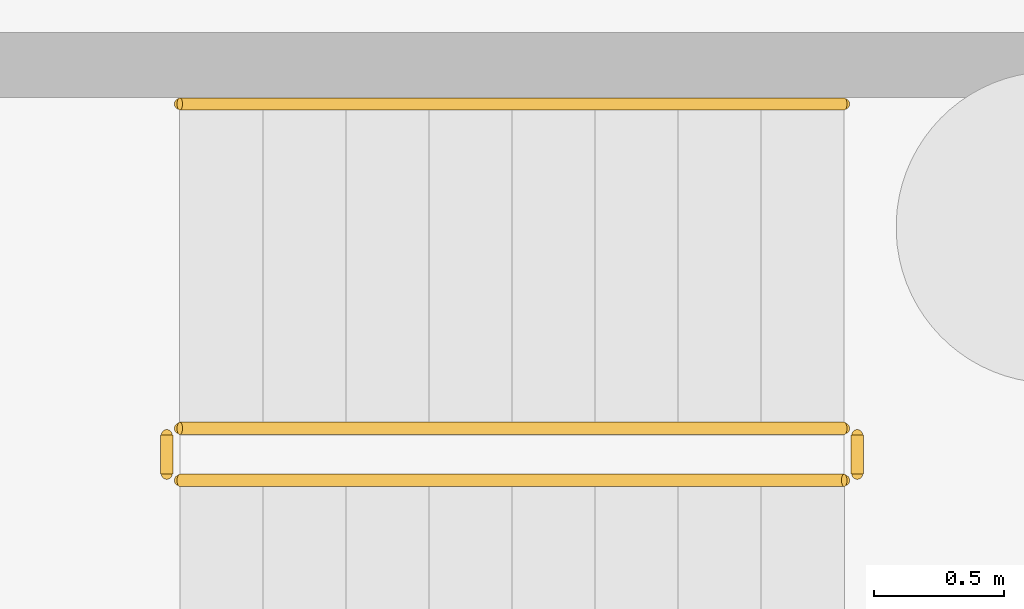
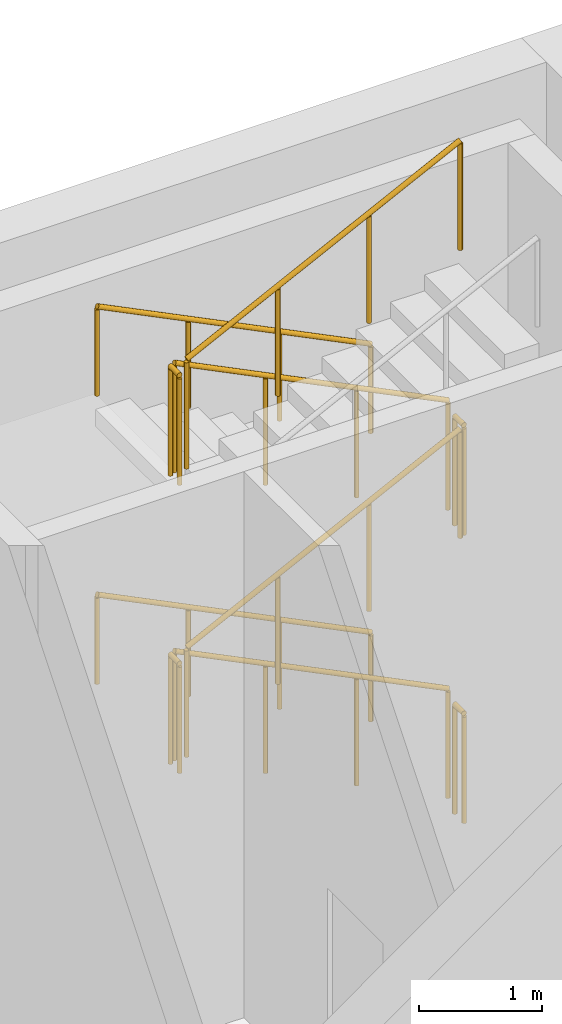
# One storey, part 37 of 38: 10 railings.
"""IFC4 building model written with IfcOpenShell, lengths in metres."""

from ifc_helpers import new_model, si_unit, direction, frame, origin, origin_2d, place, context, subcontext, project, spatial, circle, extrude, material, type_object, element, save


model = new_model("IFC4")

# Units and contexts
model_context = context("Model", 3, precision=1e-05, world=origin(), true_north=direction((0.0, 1.0)))
body_context = subcontext(model_context, "Body", "Model", "MODEL_VIEW")
ifc_project = project(units=[si_unit("LENGTHUNIT", "METRE"), si_unit("AREAUNIT", "SQUARE_METRE"), si_unit("VOLUMEUNIT", "CUBIC_METRE"), si_unit("PLANEANGLEUNIT", "RADIAN"), si_unit("MASSUNIT", "GRAM", prefix="KILO")], contexts=[model_context])

# Site, building, storey
site_placement = place(None, origin())
site = spatial("IfcSite", under=ifc_project, at=site_placement, CompositionType="ELEMENT")
building_placement = place(site_placement, origin())
building = spatial("IfcBuilding", under=site, at=building_placement, Name="Lantern Court Research Institute", CompositionType="ELEMENT")
storey_placement = place(building_placement, frame((0.0, 0.0, -5.699951171875)))
storey = spatial("IfcBuildingStorey", under=building, at=storey_placement, Name="B1", CompositionType="ELEMENT", Elevation=-5.699951171875)

# Railings
ifc_material_1 = material(Name="Structural steel S355", Category="steel")
railing_type_1 = type_object("IfcRailingType", Name="Stair guard 1100 steel", PredefinedType="GUARDRAIL", material=ifc_material_1)
railing_1_placement = place(storey_placement, frame((77.64990234375, 97.47509765625, 0.158203125)))
element("IfcRailing", 1, at=railing_1_placement, inside=storey, type_object=railing_type_1, Name="B1 ST-W3 stair guard 1", PredefinedType="GUARDRAIL", context=body_context, shape_type="SweptSolid", body=[
    extrude(circle(Radius=0.02392578125, at=origin_2d()), frame((0.0, 0.0, 1.076171875), z_axis=(-0.896248962668, 0.0, 0.443551346427), x_axis=(0.0, -1.0, 0.0)), (0.0, 0.0, 1.0), 2.856201171875),
    extrude(circle(Radius=0.02099609375, at=origin_2d()), origin(), (0.0, 0.0, 1.0), 1.052001953125),
    extrude(circle(Radius=0.02099609375, at=origin_2d()), frame((-0.853271484375, 0.0, 0.42236328125)), (0.0, 0.0, 1.0), 1.052001953125),
    extrude(circle(Radius=0.02099609375, at=origin_2d()), frame((-1.70654296875, 0.0, 0.844482421875)), (0.0, 0.0, 1.0), 1.052001953125),
    extrude(circle(Radius=0.02099609375, at=origin_2d()), frame((-2.559814453125, 0.0, 1.266845703125)), (0.0, 0.0, 1.0), 1.052001953125),
])
railing_2_placement = place(storey_placement, frame((75.0400390625, 97.449951171875, 1.425048828125)))
element("IfcRailing", 2, at=railing_2_placement, inside=storey, type_object=railing_type_1, Name="B1 ST-W3 stair guard 2", PredefinedType="GUARDRAIL", context=body_context, shape_type="SweptSolid", body=[
    extrude(circle(Radius=0.02392578125, at=origin_2d()), frame((0.0, 0.0, 1.076171875), z_axis=(0.0, -1.0, 0.0), x_axis=(1.0, 0.0, 0.0)), (0.0, 0.0, 1.0), 0.14990234375),
    extrude(circle(Radius=0.02099609375, at=origin_2d()), origin(), (0.0, 0.0, 1.0), 1.052001953125),
    extrude(circle(Radius=0.02099609375, at=origin_2d()), frame((0.0, -0.14990234375, 0.0)), (0.0, 0.0, 1.0), 1.052001953125),
])
railing_3_placement = place(storey_placement, frame((75.090087890625, 97.27490234375, 1.583251953125)))
element("IfcRailing", 3, at=railing_3_placement, inside=storey, type_object=railing_type_1, Name="B1 ST-W3 stair guard 3", PredefinedType="GUARDRAIL", context=body_context, shape_type="SweptSolid", body=[
    extrude(circle(Radius=0.02392578125, at=origin_2d()), frame((0.0, 0.0, 1.076171875), z_axis=(0.896282942063, 0.0, 0.443482680346), x_axis=(0.0, 1.0, 0.0)), (0.0, 0.0, 1.0), 2.85595703125),
    extrude(circle(Radius=0.02099609375, at=origin_2d()), origin(), (0.0, 0.0, 1.0), 1.052001953125),
    extrude(circle(Radius=0.02099609375, at=origin_2d()), frame((0.853271484375, 0.0, 0.422119140625)), (0.0, 0.0, 1.0), 1.052001953125),
    extrude(circle(Radius=0.02099609375, at=origin_2d()), frame((1.70654296875, 0.0, 0.844482421875)), (0.0, 0.0, 1.0), 1.052001953125),
    extrude(circle(Radius=0.02099609375, at=origin_2d()), frame((2.559814453125, 0.0, 1.2666015625)), (0.0, 0.0, 1.0), 1.052001953125),
])
railing_4_placement = place(storey_placement, frame((77.699951171875, 97.449951171875, 2.849853515625)))
element("IfcRailing", 4, at=railing_4_placement, inside=storey, type_object=railing_type_1, Name="B1 ST-W3 stair guard 4", PredefinedType="GUARDRAIL", context=body_context, shape_type="SweptSolid", body=[
    extrude(circle(Radius=0.02392578125, at=origin_2d()), frame((0.0, 0.0, 1.076171875), z_axis=(0.0, -1.0, 0.0), x_axis=(1.0, 0.0, 0.0)), (0.0, 0.0, 1.0), 0.14990234375),
    extrude(circle(Radius=0.02099609375, at=origin_2d()), origin(), (0.0, 0.0, 1.0), 1.052001953125),
    extrude(circle(Radius=0.02099609375, at=origin_2d()), frame((0.0, -0.14990234375, 0.0)), (0.0, 0.0, 1.0), 1.052001953125),
])
railing_5_placement = place(storey_placement, frame((77.64990234375, 97.47509765625, 3.00830078125)))
element("IfcRailing", 5, at=railing_5_placement, inside=storey, type_object=railing_type_1, Name="B1 ST-W3 stair guard 5", PredefinedType="GUARDRAIL", context=body_context, shape_type="SweptSolid", body=[
    extrude(circle(Radius=0.02392578125, at=origin_2d()), frame((0.0, 0.0, 1.076171875), z_axis=(-0.896282942063, 0.0, 0.443482680346), x_axis=(0.0, -1.0, 0.0)), (0.0, 0.0, 1.0), 2.85595703125),
    extrude(circle(Radius=0.02099609375, at=origin_2d()), origin(), (0.0, 0.0, 1.0), 1.052001953125),
    extrude(circle(Radius=0.02099609375, at=origin_2d()), frame((-0.853271484375, 0.0, 0.422119140625)), (0.0, 0.0, 1.0), 1.052001953125),
    extrude(circle(Radius=0.02099609375, at=origin_2d()), frame((-1.70654296875, 0.0, 0.844482421875)), (0.0, 0.0, 1.0), 1.052001953125),
    extrude(circle(Radius=0.02099609375, at=origin_2d()), frame((-2.559814453125, 0.0, 1.2666015625)), (0.0, 0.0, 1.0), 1.052001953125),
])
railing_6_placement = place(storey_placement, frame((75.0400390625, 97.449951171875, 4.27490234375)))
element("IfcRailing", 6, at=railing_6_placement, inside=storey, type_object=railing_type_1, Name="B1 ST-W3 stair guard 6", PredefinedType="GUARDRAIL", context=body_context, shape_type="SweptSolid", body=[
    extrude(circle(Radius=0.02392578125, at=origin_2d()), frame((0.0, 0.0, 1.076171875), z_axis=(0.0, -1.0, 0.0), x_axis=(1.0, 0.0, 0.0)), (0.0, 0.0, 1.0), 0.14990234375),
    extrude(circle(Radius=0.02099609375, at=origin_2d()), origin(), (0.0, 0.0, 1.0), 1.052001953125),
    extrude(circle(Radius=0.02099609375, at=origin_2d()), frame((0.0, -0.14990234375, 0.0)), (0.0, 0.0, 1.0), 1.052001953125),
])
railing_7_placement = place(storey_placement, frame((75.090087890625, 97.27490234375, 4.433349609375)))
element("IfcRailing", 7, at=railing_7_placement, inside=storey, type_object=railing_type_1, Name="B1 ST-W3 stair guard 7", PredefinedType="GUARDRAIL", context=body_context, shape_type="SweptSolid", body=[
    extrude(circle(Radius=0.02392578125, at=origin_2d()), frame((0.0, 0.0, 1.076171875), z_axis=(0.896282942063, 0.0, 0.443482680346), x_axis=(0.0, 1.0, 0.0)), (0.0, 0.0, 1.0), 2.85595703125),
    extrude(circle(Radius=0.02099609375, at=origin_2d()), origin(), (0.0, 0.0, 1.0), 1.052001953125),
    extrude(circle(Radius=0.02099609375, at=origin_2d()), frame((0.853271484375, 0.0, 0.422119140625)), (0.0, 0.0, 1.0), 1.052001953125),
    extrude(circle(Radius=0.02099609375, at=origin_2d()), frame((1.70654296875, 0.0, 0.844482421875)), (0.0, 0.0, 1.0), 1.052001953125),
    extrude(circle(Radius=0.02099609375, at=origin_2d()), frame((2.559814453125, 0.0, 1.2666015625)), (0.0, 0.0, 1.0), 1.052001953125),
])
railing_8_placement = place(storey_placement, frame((77.699951171875, 97.449951171875, 0.0)))
element("IfcRailing", 8, at=railing_8_placement, inside=storey, type_object=railing_type_1, Name="B1 ST-W3 stair guard 8", PredefinedType="GUARDRAIL", context=body_context, shape_type="SweptSolid", body=[
    extrude(circle(Radius=0.02392578125, at=origin_2d()), frame((0.0, 0.0, 1.076171875), z_axis=(0.0, -1.0, 0.0), x_axis=(1.0, 0.0, 0.0)), (0.0, 0.0, 1.0), 0.14990234375),
    extrude(circle(Radius=0.02099609375, at=origin_2d()), origin(), (0.0, 0.0, 1.0), 1.052001953125),
    extrude(circle(Radius=0.02099609375, at=origin_2d()), frame((0.0, -0.14990234375, 0.0)), (0.0, 0.0, 1.0), 1.052001953125),
])
ifc_material_2 = material(Name="Stainless steel 316", Category="steel")
railing_type_2 = type_object("IfcRailingType", Name="Stair handrail 900 steel", PredefinedType="HANDRAIL", material=ifc_material_2)
railing_9_placement = place(storey_placement, frame((77.64990234375, 98.72509765625, 0.158203125)))
element("IfcRailing", 9, at=railing_9_placement, inside=storey, type_object=railing_type_2, Name="B1 ST-W3 stair handrail 1", PredefinedType="HANDRAIL", context=body_context, shape_type="SweptSolid", body=[
    extrude(circle(Radius=0.02392578125, at=origin_2d()), frame((0.0, 0.0, 0.8759765625), z_axis=(-0.896248962668, 0.0, 0.443551346427), x_axis=(0.0, -1.0, 0.0)), (0.0, 0.0, 1.0), 2.856201171875),
    extrude(circle(Radius=0.02099609375, at=origin_2d()), origin(), (0.0, 0.0, 1.0), 0.851806640625),
    extrude(circle(Radius=0.02099609375, at=origin_2d()), frame((-0.853271484375, 0.0, 0.42236328125)), (0.0, 0.0, 1.0), 0.851806640625),
    extrude(circle(Radius=0.02099609375, at=origin_2d()), frame((-1.70654296875, 0.0, 0.844482421875)), (0.0, 0.0, 1.0), 0.851806640625),
    extrude(circle(Radius=0.02099609375, at=origin_2d()), frame((-2.559814453125, 0.0, 1.266845703125)), (0.0, 0.0, 1.0), 0.851806640625),
])
railing_10_placement = place(storey_placement, frame((77.64990234375, 98.72509765625, 3.00830078125)))
element("IfcRailing", 10, at=railing_10_placement, inside=storey, type_object=railing_type_2, Name="B1 ST-W3 stair handrail 3", PredefinedType="HANDRAIL", context=body_context, shape_type="SweptSolid", body=[
    extrude(circle(Radius=0.02392578125, at=origin_2d()), frame((0.0, 0.0, 0.8759765625), z_axis=(-0.896282942063, 0.0, 0.443482680346), x_axis=(0.0, -1.0, 0.0)), (0.0, 0.0, 1.0), 2.85595703125),
    extrude(circle(Radius=0.02099609375, at=origin_2d()), origin(), (0.0, 0.0, 1.0), 0.851806640625),
    extrude(circle(Radius=0.02099609375, at=origin_2d()), frame((-0.853271484375, 0.0, 0.422119140625)), (0.0, 0.0, 1.0), 0.851806640625),
    extrude(circle(Radius=0.02099609375, at=origin_2d()), frame((-1.70654296875, 0.0, 0.844482421875)), (0.0, 0.0, 1.0), 0.851806640625),
    extrude(circle(Radius=0.02099609375, at=origin_2d()), frame((-2.559814453125, 0.0, 1.2666015625)), (0.0, 0.0, 1.0), 0.851806640625),
])

save(model, "model.ifc")
